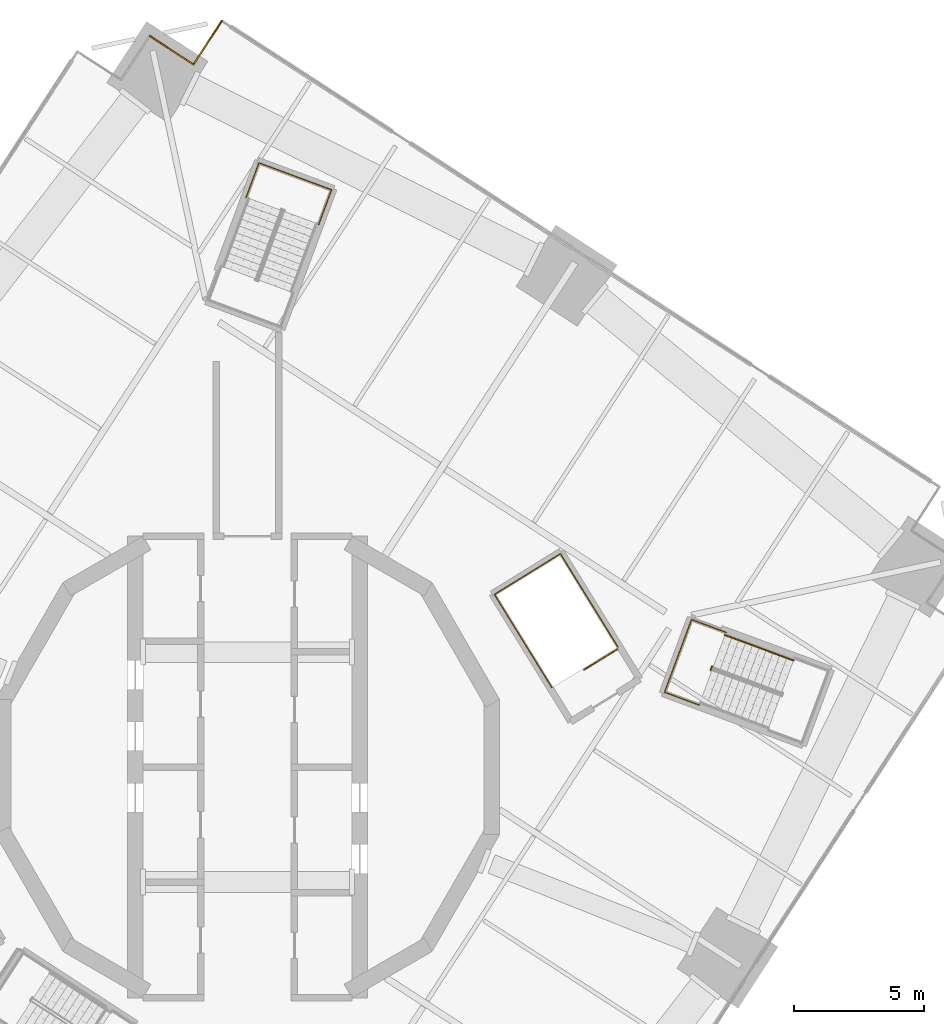
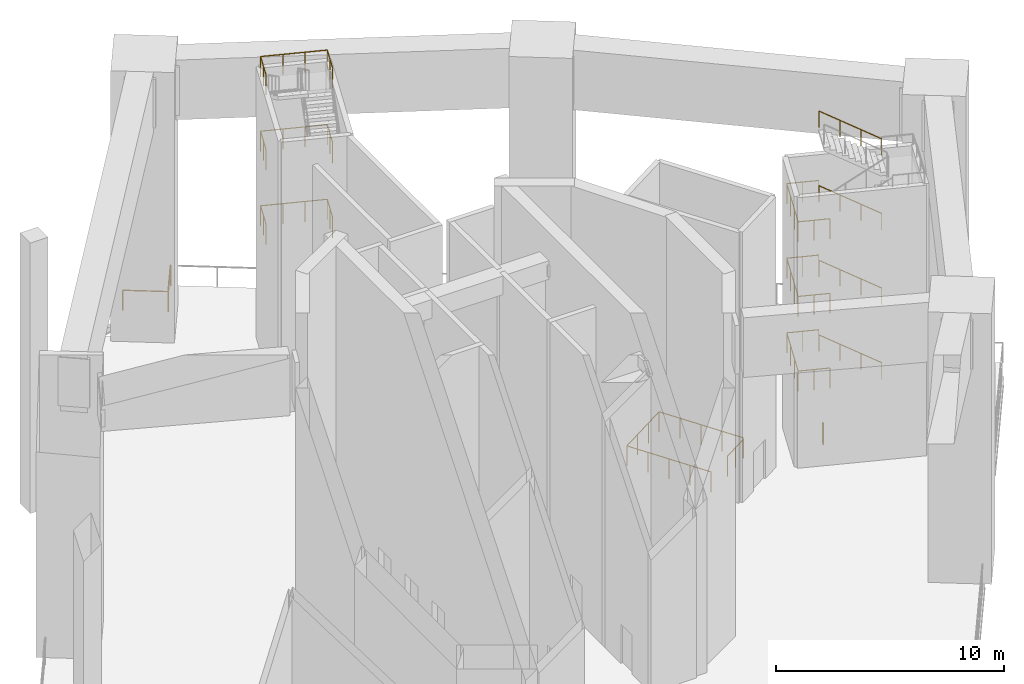
# One storey, part 15 of 16: 15 railings.
"""IFC4 building model written with IfcOpenShell, lengths in metres."""

import ifcopenshell
import ifcopenshell.guid

model = None  # the IFC model being written
_history = None  # IfcOwnerHistory: only IFC2X3 demands one
_inside = {}  # id of a spatial element -> (the spatial element, [elements in it])
_under = {}  # id of a project, library or spatial element -> (it, [spatial elements below it])
_declared = {}  # id of a project -> (the project, [libraries it declares])
_typed = {}  # id of a type object -> (the type object, [elements of that type])
_made_of = {}  # id of a material, layer set ... -> (it, [elements and type objects made of it])


def new_model(schema):
    """Start an empty IFC model of exactly this schema.

    Asked for "IFC4X3", IfcOpenShell would pick the latest addendum, in which some entities
    have other attributes; the version numbers below select the first issue.
    IFC2X3 requires an IfcOwnerHistory on every rooted entity: one is made here for all.
    """
    global model, _history
    if schema == "IFC4X3":
        model = ifcopenshell.file(schema_version=(4, 3, 0, 0))
    else:
        model = ifcopenshell.file(schema=schema)
    _inside.clear()
    _under.clear()
    _declared.clear()
    _typed.clear()
    _made_of.clear()
    _history = None
    if model.schema == "IFC2X3":
        org = make("IfcOrganization", Name="unknown")
        user = make(
            "IfcPersonAndOrganization",
            ThePerson=make("IfcPerson", FamilyName="unknown"),
            TheOrganization=org,
        )
        app = make(
            "IfcApplication",
            ApplicationDeveloper=org,
            Version="unknown",
            ApplicationFullName="unknown",
            ApplicationIdentifier="unknown",
        )
        _history = make(
            "IfcOwnerHistory",
            OwningUser=user,
            OwningApplication=app,
            ChangeAction="ADDED",
            CreationDate=0,
        )
    return model


def make(cls, **values):
    """One entity of the class cls with the attributes given. An attribute that is None is left unset."""
    return model.create_entity(
        cls, **{name: value for name, value in values.items() if value is not None}
    )


def rooted(cls, **values):
    """An entity with a GlobalId (a new one), such as an element, a storey or a relation."""
    return make(cls, GlobalId=ifcopenshell.guid.new(), OwnerHistory=_history, **values)


def si_unit(unit_type, name, prefix=None):
    """IfcSIUnit, for example si_unit("LENGTHUNIT", "METRE", prefix="MILLI")."""
    return make("IfcSIUnit", UnitType=unit_type, Prefix=prefix, Name=name)


def assignment(units):
    """IfcUnitAssignment: the units of a project."""
    return None if units is None else make("IfcUnitAssignment", Units=units)


def point(xyz):
    """IfcCartesianPoint."""
    return None if xyz is None else make("IfcCartesianPoint", Coordinates=xyz)


def direction(xyz):
    """IfcDirection."""
    return None if xyz is None else make("IfcDirection", DirectionRatios=xyz)


def frame(location, z_axis=None, x_axis=None):
    """IfcAxis2Placement3D, a coordinate frame: its origin and axes. An axis left out is left unset."""
    return make(
        "IfcAxis2Placement3D",
        Location=point(location),
        Axis=direction(z_axis),
        RefDirection=direction(x_axis),
    )


def frame_2d(location, x_axis=None):
    """IfcAxis2Placement2D, a coordinate frame in the plane: its origin and x axis."""
    return make(
        "IfcAxis2Placement2D", Location=point(location), RefDirection=direction(x_axis)
    )


def origin():
    """The frame at (0, 0, 0) with its axes left unset."""
    return frame((0.0, 0.0, 0.0))


def origin_2d():
    """The frame at (0, 0) in the plane with its x axis left unset."""
    return frame_2d((0.0, 0.0))


def place(relative_to, where):
    """IfcLocalPlacement: puts the frame where relative to a parent placement (None: the world)."""
    return make(
        "IfcLocalPlacement", PlacementRelTo=relative_to, RelativePlacement=where
    )


def context(
    kind, dimensions, precision=None, world=None, true_north=None, identifier=None
):
    """IfcGeometricRepresentationContext, for example the 3D "Model" context."""
    return make(
        "IfcGeometricRepresentationContext",
        ContextIdentifier=identifier,
        ContextType=kind,
        CoordinateSpaceDimension=dimensions,
        Precision=precision,
        WorldCoordinateSystem=world,
        TrueNorth=true_north,
    )


def subcontext(parent, identifier, kind, view, scale=None):
    """IfcGeometricRepresentationSubContext, for example "Body" below "Model"."""
    return make(
        "IfcGeometricRepresentationSubContext",
        ContextIdentifier=identifier,
        ContextType=kind,
        ParentContext=parent,
        TargetScale=scale,
        TargetView=view,
    )


def project(units=None, contexts=None):
    """IfcProject with its units and contexts."""
    return rooted(
        "IfcProject",
        Name="project",
        RepresentationContexts=contexts,
        UnitsInContext=assignment(units),
    )


def spatial(cls, under=None, at=None, **own):
    """A site, building, storey or space (cls), placed at a placement, below another one or the project."""
    s = rooted(cls, ObjectPlacement=at, **own)
    if under is not None:
        _under.setdefault(under.id(), (under, []))[1].append(s)
    return s


def profile(cls, at=None, kind="AREA", **sizes):
    """A parametric profile (cls). Its sizes go by their IFC names, for example OverallWidth=200.0."""
    return make(cls, ProfileType=kind, Position=at, **sizes)


def circle(**sizes):
    """IfcCircleProfileDef."""
    return profile("IfcCircleProfileDef", **sizes)


def extrude(swept, where, along, depth):
    """IfcExtrudedAreaSolid: the profile swept, set in the frame where, extruded along a direction by depth."""
    return make(
        "IfcExtrudedAreaSolid",
        SweptArea=swept,
        Position=where,
        ExtrudedDirection=direction(along),
        Depth=depth,
    )


def shape(context_of_items, identifier, shape_type, items):
    """IfcShapeRepresentation: the items that make up one representation, for example the "Body"."""
    return make(
        "IfcShapeRepresentation",
        ContextOfItems=context_of_items,
        RepresentationIdentifier=identifier,
        RepresentationType=shape_type,
        Items=items,
    )


def material(Name=None, Category=None):
    """IfcMaterial."""
    return make("IfcMaterial", Name=Name, Category=Category)


def made_of(thing, what):
    """Note that an element or type object is made of a material, layer set ...; save() writes the relation."""
    if what is not None:
        _made_of.setdefault(what.id(), (what, []))[1].append(thing)
    return thing


def type_object(cls, material=None, **own):
    """A type object (cls), such as IfcWallType, which elements share."""
    return made_of(rooted(cls, **own), material)


def element(
    cls,
    number,
    at=None,
    inside=None,
    cuts=None,
    type_object=None,
    material=None,
    context=None,
    identifier="Body",
    shape_type=None,
    held_by="IfcProductDefinitionShape",
    body=None,
    shapes=None,
    **own,
):
    """One element of the class cls, such as IfcWall. Its Tag is "e" and its number.

    at: its placement. inside: the storey or other place that contains it. cuts: it is an
    opening in that element (IfcRelVoidsElement). A single representation is given by context,
    identifier, shape_type and body (its items); several are given by shapes. held_by: the class
    of the entity that holds the representations. save() writes the other relations.
    """
    e = rooted(cls, Tag="e%d" % number, ObjectPlacement=at, **own)
    if body is not None:
        shapes = [shape(context, identifier, shape_type, body)]
    if shapes is not None:
        e.Representation = make(held_by, Representations=shapes)
    if inside is not None:
        _inside.setdefault(inside.id(), (inside, []))[1].append(e)
    if cuts is not None:
        rooted(
            "IfcRelVoidsElement", RelatingBuildingElement=cuts, RelatedOpeningElement=e
        )
    if type_object is not None:
        _typed.setdefault(type_object.id(), (type_object, []))[1].append(e)
    return made_of(e, material)


def aggregate(whole, parts):
    """IfcRelAggregates: a whole, such as a stair, and the parts it consists of."""
    return rooted("IfcRelAggregates", RelatingObject=whole, RelatedObjects=parts)


def save(model, path):
    """Write the relations noted so far, then the file.

    IfcRelAggregates (storeys below a building ...), IfcRelContainedInSpatialStructure (elements
    in a storey), IfcRelDefinesByType, IfcRelAssociatesMaterial and IfcRelDeclares: one each for
    every whole, place, type object, material and project.
    """
    for whole, parts in _under.values():
        aggregate(whole, parts)
    for where, things in _inside.values():
        rooted(
            "IfcRelContainedInSpatialStructure",
            RelatedElements=things,
            RelatingStructure=where,
        )
    for kind, things in _typed.values():
        rooted("IfcRelDefinesByType", RelatedObjects=things, RelatingType=kind)
    for what, things in _made_of.values():
        rooted("IfcRelAssociatesMaterial", RelatedObjects=things, RelatingMaterial=what)
    for by, libraries in _declared.values():
        rooted("IfcRelDeclares", RelatingContext=by, RelatedDefinitions=libraries)
    model.write(path)


model = new_model("IFC4")

# Units and contexts
model_context = context("Model", 3, precision=1e-05, world=origin(), true_north=direction((0.0, 1.0)))
body_context = subcontext(model_context, "Body", "Model", "MODEL_VIEW")
ifc_project = project(units=[si_unit("LENGTHUNIT", "METRE"), si_unit("AREAUNIT", "SQUARE_METRE"), si_unit("VOLUMEUNIT", "CUBIC_METRE"), si_unit("PLANEANGLEUNIT", "RADIAN"), si_unit("MASSUNIT", "GRAM", prefix="KILO")], contexts=[model_context])

# Site, building, storey
site_placement = place(None, origin())
site = spatial("IfcSite", under=ifc_project, at=site_placement, CompositionType="ELEMENT")
building_placement = place(site_placement, origin())
building = spatial("IfcBuilding", under=site, at=building_placement, Name="Cantera Rosa Tower", CompositionType="ELEMENT")
storey_placement = place(building_placement, frame((0.0, 0.0, 290.10009765625)))
storey = spatial("IfcBuildingStorey", under=building, at=storey_placement, Name="L66", CompositionType="ELEMENT", Elevation=290.10009765625)

# Railings
ifc_material_1 = material(Name="Stainless steel and laminated glass", Category="steel")
railing_type_1 = type_object("IfcRailingType", Name="GUARD 1100", PredefinedType="BALUSTRADE", material=ifc_material_1)
railing_1_placement = place(storey_placement, frame((-0.982421875, 28.598876953125, 0.0)))
element("IfcRailing", 1, at=railing_1_placement, inside=storey, type_object=railing_type_1, Name="PORTAL GUARD L66-2", PredefinedType="BALUSTRADE", context=body_context, shape_type="SweptSolid", body=[
    extrude(circle(Radius=0.030029296875, at=origin_2d()), frame((0.0, 0.0, 1.070068359375), z_axis=(-0.54468796124, -0.838638792855, 0.0), x_axis=(0.838638792855, -0.54468796124, 0.0)), (0.0, 0.0, 1.0), 2.0),
    extrude(circle(Radius=0.02490234375, at=origin_2d()), origin(), (0.0, 0.0, 1.0), 1.0400390625),
    extrude(circle(Radius=0.02490234375, at=origin_2d()), frame((-1.08935546875, -1.67724609375, 0.0)), (0.0, 0.0, 1.0), 1.0400390625),
])
railing_2_placement = place(storey_placement, frame((-2.07177734375, 26.921630859375, 0.0)))
element("IfcRailing", 2, at=railing_2_placement, inside=storey, type_object=railing_type_1, Name="PORTAL GUARD L66-3", PredefinedType="BALUSTRADE", context=body_context, shape_type="SweptSolid", body=[
    extrude(circle(Radius=0.030029296875, at=origin_2d()), frame((0.0, 0.0, 1.070068359375), z_axis=(-0.8386945545, 0.54460209718, 0.0), x_axis=(-0.54460209718, -0.8386945545, 0.0)), (0.0, 0.0, 1.0), 1.999755859375),
    extrude(circle(Radius=0.02490234375, at=origin_2d()), origin(), (0.0, 0.0, 1.0), 1.0400390625),
    extrude(circle(Radius=0.02490234375, at=origin_2d()), frame((-1.67724609375, 1.089111328125, 0.0)), (0.0, 0.0, 1.0), 1.0400390625),
])
ifc_material_2 = material(Name="Steel S355J2 (EN 10025-2)", Category="steel")
railing_type_2 = type_object("IfcRailingType", Name="STAIR GUARD 1100", PredefinedType="GUARDRAIL", material=ifc_material_2)
railing_3_placement = place(storey_placement, frame((14.174072265625, 4.513916015625, 0.0)))
element("IfcRailing", 3, at=railing_3_placement, inside=storey, type_object=railing_type_2, Name="L66 ST-51 top well guard 1", PredefinedType="GUARDRAIL", context=body_context, shape_type="SweptSolid", body=[
    extrude(circle(Radius=0.02392578125, at=origin_2d()), frame((0.0, 0.0, 1.076171875), z_axis=(-0.851138143202, -0.52494176933, 0.0), x_axis=(0.52494176933, -0.851138143202, 0.0)), (0.0, 0.0, 1.0), 1.5),
    extrude(circle(Radius=0.02099609375, at=origin_2d()), origin(), (0.0, 0.0, 1.0), 1.052001953125),
    extrude(circle(Radius=0.02099609375, at=origin_2d()), frame((-0.63818359375, -0.3935546875, 0.0)), (0.0, 0.0, 1.0), 1.052001953125),
    extrude(circle(Radius=0.02099609375, at=origin_2d()), frame((-1.276611328125, -0.787353515625, 0.0)), (0.0, 0.0, 1.0), 1.052001953125),
])
railing_4_placement = place(storey_placement, frame((14.192626953125, 4.59814453125, 0.0)))
element("IfcRailing", 4, at=railing_4_placement, inside=storey, type_object=railing_type_2, Name="L66 ST-51 top well guard 2", PredefinedType="GUARDRAIL", context=body_context, shape_type="SweptSolid", body=[
    extrude(circle(Radius=0.02392578125, at=origin_2d()), frame((0.0, 0.0, 1.076171875), z_axis=(-0.524976478809, 0.851116735059, 0.0), x_axis=(-0.851116735059, -0.524976478809, 0.0)), (0.0, 0.0, 1.0), 4.197998046875),
    extrude(circle(Radius=0.02392578125, at=origin_2d()), frame((-2.203857421875, 3.572998046875, 1.076171875), z_axis=(-0.851132917336, -0.524950242429, 0.0), x_axis=(0.524950242429, -0.851132917336, 0.0)), (0.0, 0.0, 1.0), 2.969970703125),
    extrude(circle(Radius=0.02392578125, at=origin_2d()), frame((-4.731689453125, 2.013916015625, 1.076171875), z_axis=(0.524976478809, -0.851116735059, 0.0), x_axis=(0.851116735059, 0.524976478809, 0.0)), (0.0, 0.0, 1.0), 4.197998046875),
    extrude(circle(Radius=0.02099609375, at=origin_2d()), origin(), (0.0, 0.0, 1.0), 1.052001953125),
    extrude(circle(Radius=0.02099609375, at=origin_2d()), frame((-0.551025390625, 0.893310546875, 0.0)), (0.0, 0.0, 1.0), 1.052001953125),
    extrude(circle(Radius=0.02099609375, at=origin_2d()), frame((-1.10205078125, 1.78662109375, 0.0)), (0.0, 0.0, 1.0), 1.052001953125),
    extrude(circle(Radius=0.02099609375, at=origin_2d()), frame((-1.65283203125, 2.6796875, 0.0)), (0.0, 0.0, 1.0), 1.052001953125),
    extrude(circle(Radius=0.02099609375, at=origin_2d()), frame((-2.203857421875, 3.572998046875, 0.0)), (0.0, 0.0, 1.0), 1.052001953125),
    extrude(circle(Radius=0.02099609375, at=origin_2d()), frame((-3.04638671875, 3.05322265625, 0.0)), (0.0, 0.0, 1.0), 1.052001953125),
    extrude(circle(Radius=0.02099609375, at=origin_2d()), frame((-3.88916015625, 2.53369140625, 0.0)), (0.0, 0.0, 1.0), 1.052001953125),
    extrude(circle(Radius=0.02099609375, at=origin_2d()), frame((-4.731689453125, 2.013916015625, 0.0)), (0.0, 0.0, 1.0), 1.052001953125),
    extrude(circle(Radius=0.02099609375, at=origin_2d()), frame((-4.1806640625, 1.12060546875, 0.0)), (0.0, 0.0, 1.0), 1.052001953125),
    extrude(circle(Radius=0.02099609375, at=origin_2d()), frame((-3.6298828125, 0.2275390625, 0.0)), (0.0, 0.0, 1.0), 1.052001953125),
    extrude(circle(Radius=0.02099609375, at=origin_2d()), frame((-3.078857421875, -0.665771484375, 0.0)), (0.0, 0.0, 1.0), 1.052001953125),
    extrude(circle(Radius=0.02099609375, at=origin_2d()), frame((-2.52783203125, -1.55908203125, 0.0)), (0.0, 0.0, 1.0), 1.052001953125),
])
railing_5_placement = place(storey_placement, frame((17.74658203125, 3.71484375, 0.0)))
element("IfcRailing", 5, at=railing_5_placement, inside=storey, type_object=railing_type_2, Name="L66 ST-61 stair guard 9", PredefinedType="GUARDRAIL", context=body_context, shape_type="SweptSolid", body=[
    extrude(circle(Radius=0.02392578125, at=origin_2d()), frame((0.0, 0.0, 1.076171875), z_axis=(0.348268249601, 0.937394914814, 0.0), x_axis=(-0.937394914814, 0.348268249601, 0.0)), (0.0, 0.0, 1.0), 0.14990234375),
    extrude(circle(Radius=0.02099609375, at=origin_2d()), origin(), (0.0, 0.0, 1.0), 1.052001953125),
    extrude(circle(Radius=0.02099609375, at=origin_2d()), frame((0.05224609375, 0.140625, 0.0)), (0.0, 0.0, 1.0), 1.052001953125),
])
for number, where, name in (
    (6, (17.31494140625, 2.37109375, 4.0), "L66 ST-61 stair guard 11"),
    (7, (17.31494140625, 2.37109375, 8.0), "L66 ST-61 stair guard 13"),
    (8, (17.31494140625, 2.37109375, 12.0), "L66 ST-61 stair guard 15"),
):
    element("IfcRailing", number, at=place(storey_placement, frame(where)), inside=storey, type_object=railing_type_2, Name=name, PredefinedType="GUARDRAIL", context=body_context, shape_type="SweptSolid", body=[
        extrude(circle(Radius=0.02392578125, at=origin_2d()), frame((0.0, 0.0, 1.076171875), z_axis=(-0.937690763218, 0.347470908963, 0.0), x_axis=(-0.347470908963, -0.937690763218, 0.0)), (0.0, 0.0, 1.0), 1.422119140625),
        extrude(circle(Radius=0.02392578125, at=origin_2d()), frame((-1.33349609375, 0.494140625, 1.076171875), z_axis=(0.347472311651, 0.937690243436, 0.0), x_axis=(-0.937690243436, 0.347472311651, 0.0)), (0.0, 0.0, 1.0), 2.969970703125),
        extrude(circle(Radius=0.02392578125, at=origin_2d()), frame((-0.301513671875, 3.279052734375, 1.076171875), z_axis=(0.937690763218, -0.347470908963, 0.0), x_axis=(0.347470908963, 0.937690763218, 0.0)), (0.0, 0.0, 1.0), 1.422119140625),
        extrude(circle(Radius=0.02099609375, at=origin_2d()), origin(), (0.0, 0.0, 1.0), 1.052001953125),
        extrude(circle(Radius=0.02099609375, at=origin_2d()), frame((-0.666748046875, 0.2470703125, 0.0)), (0.0, 0.0, 1.0), 1.052001953125),
        extrude(circle(Radius=0.02099609375, at=origin_2d()), frame((-1.33349609375, 0.494140625, 0.0)), (0.0, 0.0, 1.0), 1.052001953125),
        extrude(circle(Radius=0.02099609375, at=origin_2d()), frame((-0.989501953125, 1.42236328125, 0.0)), (0.0, 0.0, 1.0), 1.052001953125),
        extrude(circle(Radius=0.02099609375, at=origin_2d()), frame((-0.6455078125, 2.350830078125, 0.0)), (0.0, 0.0, 1.0), 1.052001953125),
        extrude(circle(Radius=0.02099609375, at=origin_2d()), frame((-0.301513671875, 3.279052734375, 0.0)), (0.0, 0.0, 1.0), 1.052001953125),
        extrude(circle(Radius=0.02099609375, at=origin_2d()), frame((0.365234375, 3.031982421875, 0.0)), (0.0, 0.0, 1.0), 1.052001953125),
        extrude(circle(Radius=0.02099609375, at=origin_2d()), frame((1.031982421875, 2.784912109375, 0.0)), (0.0, 0.0, 1.0), 1.052001953125),
    ])
for number, where, name in (
    (9, (2.7275390625, 20.785400390625, 6.0), "L66 ST-62 stair guard 12"),
    (10, (2.7275390625, 20.785400390625, 10.0), "L66 ST-62 stair guard 14"),
    (11, (2.7275390625, 20.785400390625, 14.0), "L66 ST-62 stair guard 16"),
):
    element("IfcRailing", number, at=place(storey_placement, frame(where)), inside=storey, type_object=railing_type_2, Name=name, PredefinedType="GUARDRAIL", context=body_context, shape_type="SweptSolid", body=[
        extrude(circle(Radius=0.02392578125, at=origin_2d()), frame((0.0, 0.0, 1.076171875), z_axis=(0.347470908963, 0.937690763218, 0.0), x_axis=(-0.937690763218, 0.347470908963, 0.0)), (0.0, 0.0, 1.0), 1.422119140625),
        extrude(circle(Radius=0.02392578125, at=origin_2d()), frame((0.494140625, 1.33349609375, 1.076171875), z_axis=(-0.937690243436, 0.347472311651, 0.0), x_axis=(-0.347472311651, -0.937690243436, 0.0)), (0.0, 0.0, 1.0), 2.969970703125),
        extrude(circle(Radius=0.02392578125, at=origin_2d()), frame((-2.290771484375, 2.365478515625, 1.076171875), z_axis=(-0.347470908963, -0.937690763218, 0.0), x_axis=(0.937690763218, -0.347470908963, 0.0)), (0.0, 0.0, 1.0), 1.422119140625),
        extrude(circle(Radius=0.02099609375, at=origin_2d()), origin(), (0.0, 0.0, 1.0), 1.052001953125),
        extrude(circle(Radius=0.02099609375, at=origin_2d()), frame((0.2470703125, 0.666748046875, 0.0)), (0.0, 0.0, 1.0), 1.052001953125),
        extrude(circle(Radius=0.02099609375, at=origin_2d()), frame((0.494140625, 1.33349609375, 0.0)), (0.0, 0.0, 1.0), 1.052001953125),
        extrude(circle(Radius=0.02099609375, at=origin_2d()), frame((-0.43408203125, 1.677490234375, 0.0)), (0.0, 0.0, 1.0), 1.052001953125),
        extrude(circle(Radius=0.02099609375, at=origin_2d()), frame((-1.362548828125, 2.021484375, 0.0)), (0.0, 0.0, 1.0), 1.052001953125),
        extrude(circle(Radius=0.02099609375, at=origin_2d()), frame((-2.290771484375, 2.365478515625, 0.0)), (0.0, 0.0, 1.0), 1.052001953125),
        extrude(circle(Radius=0.02099609375, at=origin_2d()), frame((-2.537841796875, 1.69873046875, 0.0)), (0.0, 0.0, 1.0), 1.052001953125),
        extrude(circle(Radius=0.02099609375, at=origin_2d()), frame((-2.784912109375, 1.031982421875, 0.0)), (0.0, 0.0, 1.0), 1.052001953125),
    ])
ifc_material_3 = material(Name="Steel S355J2 (EN 10025-2)", Category="steel")
railing_type_3 = type_object("IfcRailingType", Name="STAIR HANDRAIL 900", PredefinedType="HANDRAIL", material=ifc_material_3)
for number, where, name in (
    (12, (20.9228515625, 4.084228515625, 2.181640625), "L66 ST-61 stair handrail 2"),
    (13, (20.9228515625, 4.084228515625, 6.181640625), "L66 ST-61 stair handrail 4"),
    (14, (20.9228515625, 4.084228515625, 10.181640625), "L66 ST-61 stair handrail 6"),
    (15, (20.9228515625, 4.084228515625, 14.181640625), "L66 ST-61 stair handrail 8"),
):
    element("IfcRailing", number, at=place(storey_placement, frame(where)), inside=storey, type_object=railing_type_3, Name=name, PredefinedType="HANDRAIL", context=body_context, shape_type="SweptSolid", body=[
        extrude(circle(Radius=0.02392578125, at=origin_2d()), frame((0.0, 0.0, 0.8759765625), z_axis=(-0.78640732652, 0.291410935111, 0.544649597166), x_axis=(-0.347470544015, -0.937690898453, 0.0)), (0.0, 0.0, 1.0), 3.338623046875),
        extrude(circle(Radius=0.02099609375, at=origin_2d()), origin(), (0.0, 0.0, 1.0), 0.851806640625),
        extrude(circle(Radius=0.02099609375, at=origin_2d()), frame((-0.875244140625, 0.32421875, 0.606201171875)), (0.0, 0.0, 1.0), 0.851806640625),
        extrude(circle(Radius=0.02099609375, at=origin_2d()), frame((-1.750244140625, 0.648681640625, 1.212158203125)), (0.0, 0.0, 1.0), 0.851806640625),
        extrude(circle(Radius=0.02099609375, at=origin_2d()), frame((-2.62548828125, 0.972900390625, 1.818359375)), (0.0, 0.0, 1.0), 0.851806640625),
    ])

save(model, "model.ifc")
